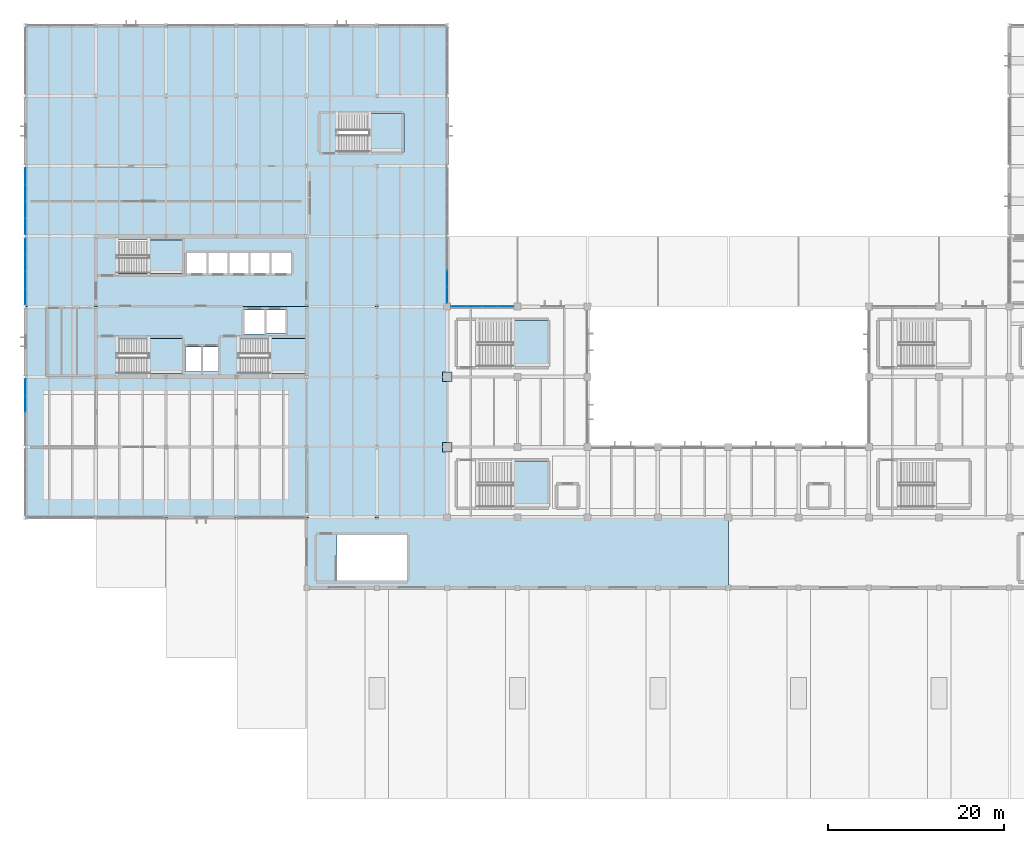
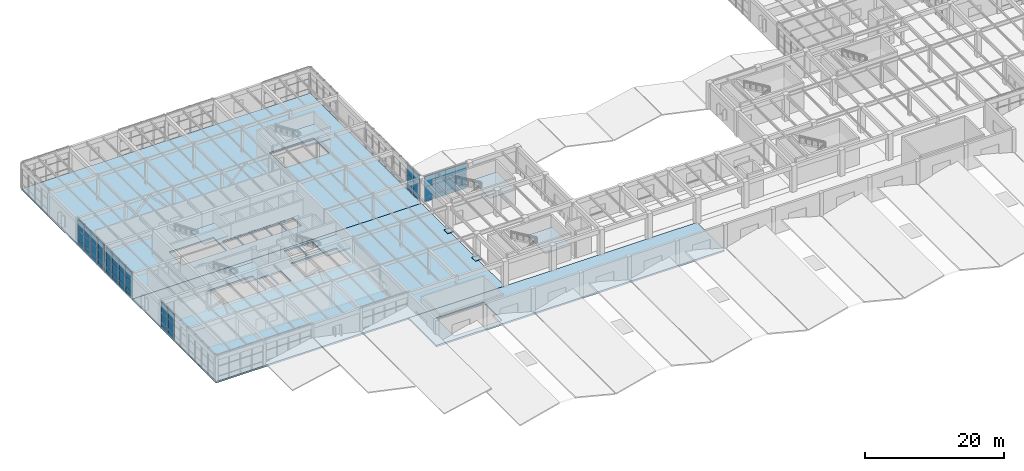
# One storey, part 34 of 60: 50 plates, 9 slabs, 11 elements without a shape of their own.
"""IFC4 building model written with IfcOpenShell, lengths in metres."""

from ifc_helpers import new_model, si_unit, direction, frame, origin, origin_2d, place, context, subcontext, project, spatial, polyline, rectangle, outline, extrude, material, layer, layer_set, type_object, element, aggregate, save


model = new_model("IFC4")

# Units and contexts
model_context = context("Model", 3, precision=1e-05, world=origin(), true_north=direction((0.0, 1.0)))
body_context = subcontext(model_context, "Body", "Model", "MODEL_VIEW")
ifc_project = project(units=[si_unit("LENGTHUNIT", "METRE"), si_unit("AREAUNIT", "SQUARE_METRE"), si_unit("VOLUMEUNIT", "CUBIC_METRE"), si_unit("PLANEANGLEUNIT", "RADIAN"), si_unit("MASSUNIT", "GRAM", prefix="KILO")], contexts=[model_context])

# Site, building, storey
site_placement = place(None, origin())
site = spatial("IfcSite", under=ifc_project, at=site_placement, CompositionType="ELEMENT")
building_placement = place(site_placement, origin())
building = spatial("IfcBuilding", under=site, at=building_placement, Name="Varnela Railside Interchange", CompositionType="ELEMENT")
storey_placement = place(building_placement, frame((0.0, 0.0, 6.300048828125)))
storey = spatial("IfcBuildingStorey", under=building, at=storey_placement, Name="L01", CompositionType="ELEMENT", Elevation=6.300048828125)

# Curtain wall, plates
ifc_material_1 = material(Name="Aluminium 6063-T6", Category="aluminium")
ifc_layer_1 = layer(ifc_material_1, 0.035888671875)
ifc_layer_set_1 = layer_set([ifc_layer_1], Name="Aluminium 6063-T6")
curtain_wall_type_1 = type_object("IfcCurtainWallType", Name="Operations Wing Facade Curtain Wall CW-03", PredefinedType="USERDEFINED", material=ifc_layer_set_1)
curtain_wall_1_placement = place(storey_placement, origin())
curtain_wall_1 = element("IfcCurtainWall", 1, at=curtain_wall_1_placement, inside=storey, type_object=curtain_wall_type_1, Name="Curtain Wall CW-03 (L01) (CW-027)", ObjectType="CURTAIN WALL", PredefinedType="USERDEFINED")
ifc_material_2 = material(Name="Glass laminated double", Category="glass")
ifc_layer_2 = layer(ifc_material_2, 0.0400390625)
ifc_layer_set_2 = layer_set([ifc_layer_2], Name="Glass laminated double")
plate_type_1 = type_object("IfcPlateType", Name="Acoustic Laminated Vision GL-03", PredefinedType="CURTAIN_PANEL", material=ifc_layer_set_2)
plate_1_placement = place(storey_placement, frame((4.0, 50.95166015625, 0.059814453125), z_axis=(0.0, 0.0, 1.0), x_axis=(0.0, 1.0, 0.0)))
plate_1 = element("IfcPlate", 2, at=plate_1_placement, type_object=plate_type_1, Name="CW-03 panel 3.1", PredefinedType="CURTAIN_PANEL", context=body_context, shape_type="SweptSolid", body=[
    extrude(rectangle(XDim=1.84326171875, YDim=0.0400390625, at=origin_2d()), origin(), (0.0, 0.0, 1.0), 0.81005859375),
])
plate_2_placement = place(storey_placement, frame((4.0, 50.95166015625, 0.929931640625), z_axis=(0.0, 0.0, 1.0), x_axis=(0.0, 1.0, 0.0)))
plate_2 = element("IfcPlate", 3, at=plate_2_placement, type_object=plate_type_1, Name="CW-03 panel 3.2", PredefinedType="CURTAIN_PANEL", context=body_context, shape_type="SweptSolid", body=[
    extrude(rectangle(XDim=1.84326171875, YDim=0.0400390625, at=origin_2d()), origin(), (0.0, 0.0, 1.0), 1.7080078125),
])
plate_3_placement = place(storey_placement, frame((4.0, 50.95166015625, 2.69775390625), z_axis=(0.0, 0.0, 1.0), x_axis=(0.0, 1.0, 0.0)))
plate_3 = element("IfcPlate", 4, at=plate_3_placement, type_object=plate_type_1, Name="CW-03 panel 3.3", PredefinedType="CURTAIN_PANEL", context=body_context, shape_type="SweptSolid", body=[
    extrude(rectangle(XDim=1.84326171875, YDim=0.0400390625, at=origin_2d()), origin(), (0.0, 0.0, 1.0), 1.842041015625),
])
plate_4_placement = place(storey_placement, frame((4.0, 52.83984375, 0.059814453125), z_axis=(0.0, 0.0, 1.0), x_axis=(0.0, 1.0, 0.0)))
plate_4 = element("IfcPlate", 5, at=plate_4_placement, type_object=plate_type_1, Name="CW-03 panel 4.1", PredefinedType="CURTAIN_PANEL", context=body_context, shape_type="SweptSolid", body=[
    extrude(rectangle(XDim=1.813232421875, YDim=0.0400390625, at=origin_2d()), origin(), (0.0, 0.0, 1.0), 0.81005859375),
])
plate_5_placement = place(storey_placement, frame((4.0, 52.83984375, 0.929931640625), z_axis=(0.0, 0.0, 1.0), x_axis=(0.0, 1.0, 0.0)))
plate_5 = element("IfcPlate", 6, at=plate_5_placement, type_object=plate_type_1, Name="CW-03 panel 4.2", PredefinedType="CURTAIN_PANEL", context=body_context, shape_type="SweptSolid", body=[
    extrude(rectangle(XDim=1.813232421875, YDim=0.0400390625, at=origin_2d()), origin(), (0.0, 0.0, 1.0), 1.7080078125),
])
plate_6_placement = place(storey_placement, frame((4.0, 52.83984375, 2.69775390625), z_axis=(0.0, 0.0, 1.0), x_axis=(0.0, 1.0, 0.0)))
plate_6 = element("IfcPlate", 7, at=plate_6_placement, type_object=plate_type_1, Name="CW-03 panel 4.3", PredefinedType="CURTAIN_PANEL", context=body_context, shape_type="SweptSolid", body=[
    extrude(rectangle(XDim=1.813232421875, YDim=0.0400390625, at=origin_2d()), origin(), (0.0, 0.0, 1.0), 1.842041015625),
])
aggregate(curtain_wall_1, [plate_1, plate_2, plate_3, plate_4, plate_5, plate_6])

curtain_wall_2_placement = place(storey_placement, origin())
curtain_wall_2 = element("IfcCurtainWall", 8, at=curtain_wall_2_placement, inside=storey, type_object=curtain_wall_type_1, Name="Curtain Wall CW-03 (L01) (CW-034)", ObjectType="CURTAIN WALL", PredefinedType="USERDEFINED")
plate_7_placement = place(storey_placement, frame((4.0, 63.16015625, 0.059814453125), z_axis=(0.0, 0.0, 1.0), x_axis=(0.0, 1.0, 0.0)))
plate_7 = element("IfcPlate", 9, at=plate_7_placement, type_object=plate_type_1, Name="CW-03 panel 1.1", PredefinedType="CURTAIN_PANEL", context=body_context, shape_type="SweptSolid", body=[
    extrude(rectangle(XDim=1.813232421875, YDim=0.0400390625, at=origin_2d()), origin(), (0.0, 0.0, 1.0), 0.81005859375),
])
plate_8_placement = place(storey_placement, frame((4.0, 63.16015625, 0.929931640625), z_axis=(0.0, 0.0, 1.0), x_axis=(0.0, 1.0, 0.0)))
plate_8 = element("IfcPlate", 10, at=plate_8_placement, type_object=plate_type_1, Name="CW-03 panel 1.2", PredefinedType="CURTAIN_PANEL", context=body_context, shape_type="SweptSolid", body=[
    extrude(rectangle(XDim=1.813232421875, YDim=0.0400390625, at=origin_2d()), origin(), (0.0, 0.0, 1.0), 1.7080078125),
])
plate_9_placement = place(storey_placement, frame((4.0, 63.16015625, 2.69775390625), z_axis=(0.0, 0.0, 1.0), x_axis=(0.0, 1.0, 0.0)))
plate_9 = element("IfcPlate", 11, at=plate_9_placement, type_object=plate_type_1, Name="CW-03 panel 1.3", PredefinedType="CURTAIN_PANEL", context=body_context, shape_type="SweptSolid", body=[
    extrude(rectangle(XDim=1.813232421875, YDim=0.0400390625, at=origin_2d()), origin(), (0.0, 0.0, 1.0), 1.842041015625),
])
plate_10_placement = place(storey_placement, frame((4.0, 65.04833984375, 0.059814453125), z_axis=(0.0, 0.0, 1.0), x_axis=(0.0, 1.0, 0.0)))
plate_10 = element("IfcPlate", 12, at=plate_10_placement, type_object=plate_type_1, Name="CW-03 panel 2.1", PredefinedType="CURTAIN_PANEL", context=body_context, shape_type="SweptSolid", body=[
    extrude(rectangle(XDim=1.84326171875, YDim=0.0400390625, at=origin_2d()), origin(), (0.0, 0.0, 1.0), 0.81005859375),
])
plate_11_placement = place(storey_placement, frame((4.0, 65.04833984375, 0.929931640625), z_axis=(0.0, 0.0, 1.0), x_axis=(0.0, 1.0, 0.0)))
plate_11 = element("IfcPlate", 13, at=plate_11_placement, type_object=plate_type_1, Name="CW-03 panel 2.2", PredefinedType="CURTAIN_PANEL", context=body_context, shape_type="SweptSolid", body=[
    extrude(rectangle(XDim=1.84326171875, YDim=0.0400390625, at=origin_2d()), origin(), (0.0, 0.0, 1.0), 1.7080078125),
])
plate_12_placement = place(storey_placement, frame((4.0, 65.04833984375, 2.69775390625), z_axis=(0.0, 0.0, 1.0), x_axis=(0.0, 1.0, 0.0)))
plate_12 = element("IfcPlate", 14, at=plate_12_placement, type_object=plate_type_1, Name="CW-03 panel 2.3", PredefinedType="CURTAIN_PANEL", context=body_context, shape_type="SweptSolid", body=[
    extrude(rectangle(XDim=1.84326171875, YDim=0.0400390625, at=origin_2d()), origin(), (0.0, 0.0, 1.0), 1.842041015625),
])
plate_13_placement = place(storey_placement, frame((4.0, 66.95166015625, 0.059814453125), z_axis=(0.0, 0.0, 1.0), x_axis=(0.0, 1.0, 0.0)))
plate_13 = element("IfcPlate", 15, at=plate_13_placement, type_object=plate_type_1, Name="CW-03 panel 3.1", PredefinedType="CURTAIN_PANEL", context=body_context, shape_type="SweptSolid", body=[
    extrude(rectangle(XDim=1.84326171875, YDim=0.0400390625, at=origin_2d()), origin(), (0.0, 0.0, 1.0), 0.81005859375),
])
plate_14_placement = place(storey_placement, frame((4.0, 66.95166015625, 0.929931640625), z_axis=(0.0, 0.0, 1.0), x_axis=(0.0, 1.0, 0.0)))
plate_14 = element("IfcPlate", 16, at=plate_14_placement, type_object=plate_type_1, Name="CW-03 panel 3.2", PredefinedType="CURTAIN_PANEL", context=body_context, shape_type="SweptSolid", body=[
    extrude(rectangle(XDim=1.84326171875, YDim=0.0400390625, at=origin_2d()), origin(), (0.0, 0.0, 1.0), 1.7080078125),
])
plate_15_placement = place(storey_placement, frame((4.0, 66.95166015625, 2.69775390625), z_axis=(0.0, 0.0, 1.0), x_axis=(0.0, 1.0, 0.0)))
plate_15 = element("IfcPlate", 17, at=plate_15_placement, type_object=plate_type_1, Name="CW-03 panel 3.3", PredefinedType="CURTAIN_PANEL", context=body_context, shape_type="SweptSolid", body=[
    extrude(rectangle(XDim=1.84326171875, YDim=0.0400390625, at=origin_2d()), origin(), (0.0, 0.0, 1.0), 1.842041015625),
])
plate_16_placement = place(storey_placement, frame((4.0, 68.83984375, 0.059814453125), z_axis=(0.0, 0.0, 1.0), x_axis=(0.0, 1.0, 0.0)))
plate_16 = element("IfcPlate", 18, at=plate_16_placement, type_object=plate_type_1, Name="CW-03 panel 4.1", PredefinedType="CURTAIN_PANEL", context=body_context, shape_type="SweptSolid", body=[
    extrude(rectangle(XDim=1.813232421875, YDim=0.0400390625, at=origin_2d()), origin(), (0.0, 0.0, 1.0), 0.81005859375),
])
plate_17_placement = place(storey_placement, frame((4.0, 68.83984375, 0.929931640625), z_axis=(0.0, 0.0, 1.0), x_axis=(0.0, 1.0, 0.0)))
plate_17 = element("IfcPlate", 19, at=plate_17_placement, type_object=plate_type_1, Name="CW-03 panel 4.2", PredefinedType="CURTAIN_PANEL", context=body_context, shape_type="SweptSolid", body=[
    extrude(rectangle(XDim=1.813232421875, YDim=0.0400390625, at=origin_2d()), origin(), (0.0, 0.0, 1.0), 1.7080078125),
])
plate_18_placement = place(storey_placement, frame((4.0, 68.83984375, 2.69775390625), z_axis=(0.0, 0.0, 1.0), x_axis=(0.0, 1.0, 0.0)))
plate_18 = element("IfcPlate", 20, at=plate_18_placement, type_object=plate_type_1, Name="CW-03 panel 4.3", PredefinedType="CURTAIN_PANEL", context=body_context, shape_type="SweptSolid", body=[
    extrude(rectangle(XDim=1.813232421875, YDim=0.0400390625, at=origin_2d()), origin(), (0.0, 0.0, 1.0), 1.842041015625),
])
aggregate(curtain_wall_2, [plate_7, plate_8, plate_9, plate_10, plate_11, plate_12, plate_13, plate_14, plate_15, plate_16, plate_17, plate_18])

curtain_wall_3_placement = place(storey_placement, origin())
curtain_wall_3 = element("IfcCurtainWall", 21, at=curtain_wall_3_placement, inside=storey, type_object=curtain_wall_type_1, Name="Curtain Wall CW-03 (L01) (CW-040)", ObjectType="CURTAIN WALL", PredefinedType="USERDEFINED")
plate_19_placement = place(storey_placement, frame((4.0, 71.16015625, 0.059814453125), z_axis=(0.0, 0.0, 1.0), x_axis=(0.0, 1.0, 0.0)))
plate_19 = element("IfcPlate", 22, at=plate_19_placement, type_object=plate_type_1, Name="CW-03 panel 1.1", PredefinedType="CURTAIN_PANEL", context=body_context, shape_type="SweptSolid", body=[
    extrude(rectangle(XDim=1.813232421875, YDim=0.0400390625, at=origin_2d()), origin(), (0.0, 0.0, 1.0), 0.81005859375),
])
plate_20_placement = place(storey_placement, frame((4.0, 71.16015625, 0.929931640625), z_axis=(0.0, 0.0, 1.0), x_axis=(0.0, 1.0, 0.0)))
plate_20 = element("IfcPlate", 23, at=plate_20_placement, type_object=plate_type_1, Name="CW-03 panel 1.2", PredefinedType="CURTAIN_PANEL", context=body_context, shape_type="SweptSolid", body=[
    extrude(rectangle(XDim=1.813232421875, YDim=0.0400390625, at=origin_2d()), origin(), (0.0, 0.0, 1.0), 1.7080078125),
])
plate_21_placement = place(storey_placement, frame((4.0, 71.16015625, 2.69775390625), z_axis=(0.0, 0.0, 1.0), x_axis=(0.0, 1.0, 0.0)))
plate_21 = element("IfcPlate", 24, at=plate_21_placement, type_object=plate_type_1, Name="CW-03 panel 1.3", PredefinedType="CURTAIN_PANEL", context=body_context, shape_type="SweptSolid", body=[
    extrude(rectangle(XDim=1.813232421875, YDim=0.0400390625, at=origin_2d()), origin(), (0.0, 0.0, 1.0), 1.842041015625),
])
plate_22_placement = place(storey_placement, frame((4.0, 73.04833984375, 0.059814453125), z_axis=(0.0, 0.0, 1.0), x_axis=(0.0, 1.0, 0.0)))
plate_22 = element("IfcPlate", 25, at=plate_22_placement, type_object=plate_type_1, Name="CW-03 panel 2.1", PredefinedType="CURTAIN_PANEL", context=body_context, shape_type="SweptSolid", body=[
    extrude(rectangle(XDim=1.84326171875, YDim=0.0400390625, at=origin_2d()), origin(), (0.0, 0.0, 1.0), 0.81005859375),
])
plate_23_placement = place(storey_placement, frame((4.0, 73.04833984375, 0.929931640625), z_axis=(0.0, 0.0, 1.0), x_axis=(0.0, 1.0, 0.0)))
plate_23 = element("IfcPlate", 26, at=plate_23_placement, type_object=plate_type_1, Name="CW-03 panel 2.2", PredefinedType="CURTAIN_PANEL", context=body_context, shape_type="SweptSolid", body=[
    extrude(rectangle(XDim=1.84326171875, YDim=0.0400390625, at=origin_2d()), origin(), (0.0, 0.0, 1.0), 1.7080078125),
])
plate_24_placement = place(storey_placement, frame((4.0, 73.04833984375, 2.69775390625), z_axis=(0.0, 0.0, 1.0), x_axis=(0.0, 1.0, 0.0)))
plate_24 = element("IfcPlate", 27, at=plate_24_placement, type_object=plate_type_1, Name="CW-03 panel 2.3", PredefinedType="CURTAIN_PANEL", context=body_context, shape_type="SweptSolid", body=[
    extrude(rectangle(XDim=1.84326171875, YDim=0.0400390625, at=origin_2d()), origin(), (0.0, 0.0, 1.0), 1.842041015625),
])
plate_25_placement = place(storey_placement, frame((4.0, 74.95166015625, 0.059814453125), z_axis=(0.0, 0.0, 1.0), x_axis=(0.0, 1.0, 0.0)))
plate_25 = element("IfcPlate", 28, at=plate_25_placement, type_object=plate_type_1, Name="CW-03 panel 3.1", PredefinedType="CURTAIN_PANEL", context=body_context, shape_type="SweptSolid", body=[
    extrude(rectangle(XDim=1.84326171875, YDim=0.0400390625, at=origin_2d()), origin(), (0.0, 0.0, 1.0), 0.81005859375),
])
plate_26_placement = place(storey_placement, frame((4.0, 74.95166015625, 0.929931640625), z_axis=(0.0, 0.0, 1.0), x_axis=(0.0, 1.0, 0.0)))
plate_26 = element("IfcPlate", 29, at=plate_26_placement, type_object=plate_type_1, Name="CW-03 panel 3.2", PredefinedType="CURTAIN_PANEL", context=body_context, shape_type="SweptSolid", body=[
    extrude(rectangle(XDim=1.84326171875, YDim=0.0400390625, at=origin_2d()), origin(), (0.0, 0.0, 1.0), 1.7080078125),
])
plate_27_placement = place(storey_placement, frame((4.0, 74.95166015625, 2.69775390625), z_axis=(0.0, 0.0, 1.0), x_axis=(0.0, 1.0, 0.0)))
plate_27 = element("IfcPlate", 30, at=plate_27_placement, type_object=plate_type_1, Name="CW-03 panel 3.3", PredefinedType="CURTAIN_PANEL", context=body_context, shape_type="SweptSolid", body=[
    extrude(rectangle(XDim=1.84326171875, YDim=0.0400390625, at=origin_2d()), origin(), (0.0, 0.0, 1.0), 1.842041015625),
])
plate_28_placement = place(storey_placement, frame((4.0, 76.83984375, 0.059814453125), z_axis=(0.0, 0.0, 1.0), x_axis=(0.0, 1.0, 0.0)))
plate_28 = element("IfcPlate", 31, at=plate_28_placement, type_object=plate_type_1, Name="CW-03 panel 4.1", PredefinedType="CURTAIN_PANEL", context=body_context, shape_type="SweptSolid", body=[
    extrude(rectangle(XDim=1.813232421875, YDim=0.0400390625, at=origin_2d()), origin(), (0.0, 0.0, 1.0), 0.81005859375),
])
plate_29_placement = place(storey_placement, frame((4.0, 76.83984375, 0.929931640625), z_axis=(0.0, 0.0, 1.0), x_axis=(0.0, 1.0, 0.0)))
plate_29 = element("IfcPlate", 32, at=plate_29_placement, type_object=plate_type_1, Name="CW-03 panel 4.2", PredefinedType="CURTAIN_PANEL", context=body_context, shape_type="SweptSolid", body=[
    extrude(rectangle(XDim=1.813232421875, YDim=0.0400390625, at=origin_2d()), origin(), (0.0, 0.0, 1.0), 1.7080078125),
])
plate_30_placement = place(storey_placement, frame((4.0, 76.83984375, 2.69775390625), z_axis=(0.0, 0.0, 1.0), x_axis=(0.0, 1.0, 0.0)))
plate_30 = element("IfcPlate", 33, at=plate_30_placement, type_object=plate_type_1, Name="CW-03 panel 4.3", PredefinedType="CURTAIN_PANEL", context=body_context, shape_type="SweptSolid", body=[
    extrude(rectangle(XDim=1.813232421875, YDim=0.0400390625, at=origin_2d()), origin(), (0.0, 0.0, 1.0), 1.842041015625),
])
aggregate(curtain_wall_3, [plate_19, plate_20, plate_21, plate_22, plate_23, plate_24, plate_25, plate_26, plate_27, plate_28, plate_29, plate_30])

curtain_wall_4_placement = place(storey_placement, origin())
curtain_wall_4 = element("IfcCurtainWall", 34, at=curtain_wall_4_placement, inside=storey, type_object=curtain_wall_type_1, Name="Curtain Wall CW-03 (L01) (CW-025)", ObjectType="CURTAIN WALL", PredefinedType="USERDEFINED")
plate_31_placement = place(storey_placement, frame((52.0, 65.177490234375, 0.059814453125), z_axis=(0.0, 0.0, 1.0), x_axis=(0.0, -1.0, 0.0)))
plate_31 = element("IfcPlate", 35, at=plate_31_placement, type_object=plate_type_1, Name="CW-03 panel 3.1", PredefinedType="CURTAIN_PANEL", context=body_context, shape_type="SweptSolid", body=[
    extrude(rectangle(XDim=1.79150390625, YDim=0.0400390625, at=origin_2d()), origin(), (0.0, 0.0, 1.0), 0.81005859375),
])
plate_32_placement = place(storey_placement, frame((52.0, 65.177490234375, 0.929931640625), z_axis=(0.0, 0.0, 1.0), x_axis=(0.0, -1.0, 0.0)))
plate_32 = element("IfcPlate", 36, at=plate_32_placement, type_object=plate_type_1, Name="CW-03 panel 3.2", PredefinedType="CURTAIN_PANEL", context=body_context, shape_type="SweptSolid", body=[
    extrude(rectangle(XDim=1.79150390625, YDim=0.0400390625, at=origin_2d()), origin(), (0.0, 0.0, 1.0), 1.7080078125),
])
plate_33_placement = place(storey_placement, frame((52.0, 65.177490234375, 2.69775390625), z_axis=(0.0, 0.0, 1.0), x_axis=(0.0, -1.0, 0.0)))
plate_33 = element("IfcPlate", 37, at=plate_33_placement, type_object=plate_type_1, Name="CW-03 panel 3.3", PredefinedType="CURTAIN_PANEL", context=body_context, shape_type="SweptSolid", body=[
    extrude(rectangle(XDim=1.79150390625, YDim=0.0400390625, at=origin_2d()), origin(), (0.0, 0.0, 1.0), 1.842041015625),
])
plate_34_placement = place(storey_placement, frame((52.0, 63.3408203125, 0.059814453125), z_axis=(0.0, 0.0, 1.0), x_axis=(0.0, -1.0, 0.0)))
plate_34 = element("IfcPlate", 38, at=plate_34_placement, type_object=plate_type_1, Name="CW-03 panel 4.1", PredefinedType="CURTAIN_PANEL", context=body_context, shape_type="SweptSolid", body=[
    extrude(rectangle(XDim=1.76171875, YDim=0.0400390625, at=origin_2d()), origin(), (0.0, 0.0, 1.0), 0.81005859375),
])
plate_35_placement = place(storey_placement, frame((52.0, 63.3408203125, 0.929931640625), z_axis=(0.0, 0.0, 1.0), x_axis=(0.0, -1.0, 0.0)))
plate_35 = element("IfcPlate", 39, at=plate_35_placement, type_object=plate_type_1, Name="CW-03 panel 4.2", PredefinedType="CURTAIN_PANEL", context=body_context, shape_type="SweptSolid", body=[
    extrude(rectangle(XDim=1.76171875, YDim=0.0400390625, at=origin_2d()), origin(), (0.0, 0.0, 1.0), 1.7080078125),
])
plate_36_placement = place(storey_placement, frame((52.0, 63.3408203125, 2.69775390625), z_axis=(0.0, 0.0, 1.0), x_axis=(0.0, -1.0, 0.0)))
plate_36 = element("IfcPlate", 40, at=plate_36_placement, type_object=plate_type_1, Name="CW-03 panel 4.3", PredefinedType="CURTAIN_PANEL", context=body_context, shape_type="SweptSolid", body=[
    extrude(rectangle(XDim=1.76171875, YDim=0.0400390625, at=origin_2d()), origin(), (0.0, 0.0, 1.0), 1.842041015625),
])
aggregate(curtain_wall_4, [plate_31, plate_32, plate_33, plate_34, plate_35, plate_36])

ifc_layer_3 = layer(ifc_material_1, 0.035888671875)
ifc_layer_set_3 = layer_set([ifc_layer_3], Name="Aluminium 6063-T6")
curtain_wall_type_2 = type_object("IfcCurtainWallType", Name="Concourse Triple-Height Curtain Wall CW-01", PredefinedType="USERDEFINED", material=ifc_layer_set_3)
curtain_wall_5_placement = place(storey_placement, origin())
curtain_wall_5 = element("IfcCurtainWall", 41, at=curtain_wall_5_placement, inside=storey, type_object=curtain_wall_type_2, Name="Curtain Wall CW-01 (L01) (CW-026)", ObjectType="CURTAIN WALL", PredefinedType="USERDEFINED")
ifc_layer_4 = layer(ifc_material_2, 0.02001953125)
ifc_layer_set_4 = layer_set([ifc_layer_4], Name="Glass laminated double")
plate_type_2 = type_object("IfcPlateType", Name="Low-E Vision Glazing Panel GL-01", PredefinedType="CURTAIN_PANEL", material=ifc_layer_set_4)
plate_37_placement = place(storey_placement, frame((53.316162109375, 62.0, 0.06494140625), z_axis=(0.0, 0.0, 1.0), x_axis=(1.0, 0.0, 0.0)))
plate_37 = element("IfcPlate", 42, at=plate_37_placement, type_object=plate_type_2, Name="CW-01 panel 1.1", PredefinedType="CURTAIN_PANEL", context=body_context, shape_type="SweptSolid", body=[
    extrude(rectangle(XDim=1.702392578125, YDim=0.02001953125, at=origin_2d()), origin(), (0.0, 0.0, 1.0), 0.802490234375),
])
plate_38_placement = place(storey_placement, frame((53.316162109375, 62.0, 0.9326171875), z_axis=(0.0, 0.0, 1.0), x_axis=(1.0, 0.0, 0.0)))
plate_38 = element("IfcPlate", 43, at=plate_38_placement, type_object=plate_type_2, Name="CW-01 panel 1.2", PredefinedType="CURTAIN_PANEL", context=body_context, shape_type="SweptSolid", body=[
    extrude(rectangle(XDim=1.702392578125, YDim=0.02001953125, at=origin_2d()), origin(), (0.0, 0.0, 1.0), 1.702880859375),
])
plate_39_placement = place(storey_placement, frame((53.316162109375, 62.0, 2.700439453125), z_axis=(0.0, 0.0, 1.0), x_axis=(1.0, 0.0, 0.0)))
plate_39 = element("IfcPlate", 44, at=plate_39_placement, type_object=plate_type_2, Name="CW-01 panel 1.3", PredefinedType="CURTAIN_PANEL", context=body_context, shape_type="SweptSolid", body=[
    extrude(rectangle(XDim=1.702392578125, YDim=0.02001953125, at=origin_2d()), origin(), (0.0, 0.0, 1.0), 1.83447265625),
])
plate_40_placement = place(storey_placement, frame((55.10009765625, 62.0, 0.06494140625), z_axis=(0.0, 0.0, 1.0), x_axis=(1.0, 0.0, 0.0)))
plate_40 = element("IfcPlate", 45, at=plate_40_placement, type_object=plate_type_2, Name="CW-01 panel 2.1", PredefinedType="CURTAIN_PANEL", context=body_context, shape_type="SweptSolid", body=[
    extrude(rectangle(XDim=1.735107421875, YDim=0.02001953125, at=origin_2d()), origin(), (0.0, 0.0, 1.0), 0.802490234375),
])
plate_41_placement = place(storey_placement, frame((55.10009765625, 62.0, 0.9326171875), z_axis=(0.0, 0.0, 1.0), x_axis=(1.0, 0.0, 0.0)))
plate_41 = element("IfcPlate", 46, at=plate_41_placement, type_object=plate_type_2, Name="CW-01 panel 2.2", PredefinedType="CURTAIN_PANEL", context=body_context, shape_type="SweptSolid", body=[
    extrude(rectangle(XDim=1.735107421875, YDim=0.02001953125, at=origin_2d()), origin(), (0.0, 0.0, 1.0), 1.702880859375),
])
plate_42_placement = place(storey_placement, frame((55.10009765625, 62.0, 2.700439453125), z_axis=(0.0, 0.0, 1.0), x_axis=(1.0, 0.0, 0.0)))
plate_42 = element("IfcPlate", 47, at=plate_42_placement, type_object=plate_type_2, Name="CW-01 panel 2.3", PredefinedType="CURTAIN_PANEL", context=body_context, shape_type="SweptSolid", body=[
    extrude(rectangle(XDim=1.735107421875, YDim=0.02001953125, at=origin_2d()), origin(), (0.0, 0.0, 1.0), 1.83447265625),
])
plate_43_placement = place(storey_placement, frame((56.89990234375, 62.0, 0.06494140625), z_axis=(0.0, 0.0, 1.0), x_axis=(1.0, 0.0, 0.0)))
plate_43 = element("IfcPlate", 48, at=plate_43_placement, type_object=plate_type_2, Name="CW-01 panel 3.1", PredefinedType="CURTAIN_PANEL", context=body_context, shape_type="SweptSolid", body=[
    extrude(rectangle(XDim=1.735107421875, YDim=0.02001953125, at=origin_2d()), origin(), (0.0, 0.0, 1.0), 0.802490234375),
])
plate_44_placement = place(storey_placement, frame((56.89990234375, 62.0, 0.9326171875), z_axis=(0.0, 0.0, 1.0), x_axis=(1.0, 0.0, 0.0)))
plate_44 = element("IfcPlate", 49, at=plate_44_placement, type_object=plate_type_2, Name="CW-01 panel 3.2", PredefinedType="CURTAIN_PANEL", context=body_context, shape_type="SweptSolid", body=[
    extrude(rectangle(XDim=1.735107421875, YDim=0.02001953125, at=origin_2d()), origin(), (0.0, 0.0, 1.0), 1.702880859375),
])
plate_45_placement = place(storey_placement, frame((56.89990234375, 62.0, 2.700439453125), z_axis=(0.0, 0.0, 1.0), x_axis=(1.0, 0.0, 0.0)))
plate_45 = element("IfcPlate", 50, at=plate_45_placement, type_object=plate_type_2, Name="CW-01 panel 3.3", PredefinedType="CURTAIN_PANEL", context=body_context, shape_type="SweptSolid", body=[
    extrude(rectangle(XDim=1.735107421875, YDim=0.02001953125, at=origin_2d()), origin(), (0.0, 0.0, 1.0), 1.83447265625),
])
plate_46_placement = place(storey_placement, frame((58.683837890625, 62.0, 0.06494140625), z_axis=(0.0, 0.0, 1.0), x_axis=(1.0, 0.0, 0.0)))
plate_46 = element("IfcPlate", 51, at=plate_46_placement, type_object=plate_type_2, Name="CW-01 panel 4.1", PredefinedType="CURTAIN_PANEL", context=body_context, shape_type="SweptSolid", body=[
    extrude(rectangle(XDim=1.702392578125, YDim=0.02001953125, at=origin_2d()), origin(), (0.0, 0.0, 1.0), 0.802490234375),
])
plate_47_placement = place(storey_placement, frame((58.683837890625, 62.0, 0.9326171875), z_axis=(0.0, 0.0, 1.0), x_axis=(1.0, 0.0, 0.0)))
plate_47 = element("IfcPlate", 52, at=plate_47_placement, type_object=plate_type_2, Name="CW-01 panel 4.2", PredefinedType="CURTAIN_PANEL", context=body_context, shape_type="SweptSolid", body=[
    extrude(rectangle(XDim=1.702392578125, YDim=0.02001953125, at=origin_2d()), origin(), (0.0, 0.0, 1.0), 1.702880859375),
])
plate_48_placement = place(storey_placement, frame((58.683837890625, 62.0, 2.700439453125), z_axis=(0.0, 0.0, 1.0), x_axis=(1.0, 0.0, 0.0)))
plate_48 = element("IfcPlate", 53, at=plate_48_placement, type_object=plate_type_2, Name="CW-01 panel 4.3", PredefinedType="CURTAIN_PANEL", context=body_context, shape_type="SweptSolid", body=[
    extrude(rectangle(XDim=1.702392578125, YDim=0.02001953125, at=origin_2d()), origin(), (0.0, 0.0, 1.0), 1.83447265625),
])
aggregate(curtain_wall_5, [plate_37, plate_38, plate_39, plate_40, plate_41, plate_42, plate_43, plate_44, plate_45, plate_46, plate_47, plate_48])

# Slabs
ifc_material_3 = material(Name="Concrete C40", Category="concrete")
ifc_layer_5 = layer(ifc_material_3, 0.280029296875)
ifc_layer_set_5 = layer_set([ifc_layer_5], Name="Concrete C40")
slab_type_1 = type_object("IfcSlabType", Name="Over-Station Gallery Slab SL-L01", PredefinedType="FLOOR", material=ifc_layer_set_5)
slab_1_placement = place(storey_placement, frame((0.0, 0.0, -0.280029296875)))
element("IfcSlab", 54, at=slab_1_placement, inside=storey, type_object=slab_type_1, Name="Over-Station Gallery Slab SL-L01 (L01) (SL-0077)", PredefinedType="FLOOR", context=body_context, shape_type="SweptSolid", body=[
    extrude(outline(polyline([(36.0, 30.0), (84.0, 30.0), (84.0, 38.0), (36.0, 38.0), (36.0, 30.0)]), holes=[polyline([(39.429931640625, 30.800048828125), (47.39990234375, 30.800048828125), (47.39990234375, 36.0), (39.429931640625, 36.0), (39.429931640625, 30.800048828125)])]), origin(), (0.0, 0.0, 1.0), 0.280029296875),
])
slab_2_placement = place(storey_placement, frame((0.0, 0.0, -0.280029296875)))
element("IfcSlab", 55, at=slab_2_placement, inside=storey, type_object=slab_type_1, Name="Over-Station Gallery Slab SL-L01 (L01) (SL-0090)", PredefinedType="FLOOR", context=body_context, shape_type="SweptSolid", body=[
    extrude(outline(polyline([(4.0, 38.0), (52.0, 38.0), (52.0, 62.0), (4.0, 62.0), (4.0, 38.0)]), holes=[polyline([(14.429931640625, 54.39990234375), (21.800048828125, 54.39990234375), (21.800048828125, 58.39990234375), (14.429931640625, 58.39990234375), (14.429931640625, 54.39990234375)]), polyline([(28.22998046875, 54.39990234375), (35.800048828125, 54.39990234375), (35.800048828125, 58.39990234375), (28.22998046875, 58.39990234375), (28.22998046875, 54.39990234375)]), polyline([(22.199951171875, 54.60009765625), (24.0, 54.60009765625), (24.0, 57.39990234375), (22.199951171875, 57.39990234375), (22.199951171875, 54.60009765625)]), polyline([(24.199951171875, 54.60009765625), (26.0, 54.60009765625), (26.0, 57.39990234375), (24.199951171875, 57.39990234375), (24.199951171875, 54.60009765625)]), polyline([(31.39990234375, 59.0), (33.60009765625, 59.0), (33.60009765625, 61.60009765625), (31.39990234375, 61.60009765625), (31.39990234375, 59.0)]), polyline([(28.89990234375, 58.89990234375), (31.199951171875, 58.89990234375), (31.199951171875, 61.60009765625), (28.89990234375, 61.60009765625), (28.89990234375, 58.89990234375)])]), origin(), (0.0, 0.0, 1.0), 0.280029296875),
])
slab_3_placement = place(storey_placement, frame((0.0, 0.0, -0.280029296875)))
element("IfcSlab", 56, at=slab_3_placement, inside=storey, type_object=slab_type_1, Name="Over-Station Gallery Slab SL-L01 (L01) (SL-0091)", PredefinedType="FLOOR", context=body_context, shape_type="SweptSolid", body=[
    extrude(outline(polyline([(4.0, 62.0), (52.0, 62.0), (52.0, 94.0), (4.0, 94.0), (4.0, 62.0)]), holes=[polyline([(14.429931640625, 65.800048828125), (21.800048828125, 65.800048828125), (21.800048828125, 69.60009765625), (14.429931640625, 69.60009765625), (14.429931640625, 65.800048828125)]), polyline([(39.429931640625, 79.60009765625), (46.800048828125, 79.60009765625), (46.800048828125, 84.0), (39.429931640625, 84.0), (39.429931640625, 79.60009765625)]), polyline([(22.39990234375, 65.800048828125), (24.60009765625, 65.800048828125), (24.60009765625, 68.10009765625), (22.39990234375, 68.10009765625), (22.39990234375, 65.800048828125)]), polyline([(24.800048828125, 65.800048828125), (27.0, 65.800048828125), (27.0, 68.10009765625), (24.800048828125, 68.10009765625), (24.800048828125, 65.800048828125)]), polyline([(27.199951171875, 65.800048828125), (29.39990234375, 65.800048828125), (29.39990234375, 68.10009765625), (27.199951171875, 68.10009765625), (27.199951171875, 65.800048828125)]), polyline([(29.60009765625, 65.800048828125), (31.800048828125, 65.800048828125), (31.800048828125, 68.10009765625), (29.60009765625, 68.10009765625), (29.60009765625, 65.800048828125)]), polyline([(32.0, 65.800048828125), (34.199951171875, 65.800048828125), (34.199951171875, 68.10009765625), (32.0, 68.10009765625), (32.0, 65.800048828125)])]), origin(), (0.0, 0.0, 1.0), 0.280029296875),
])

# Stair, slab
stair_type_1 = type_object("IfcStairType", Name="Core Pressurized Stair ST-165", PredefinedType="TWO_STRAIGHT_RUN_STAIR", material=ifc_material_3)
stair_1_placement = place(storey_placement, origin())
stair_1 = element("IfcStair", 57, at=stair_1_placement, inside=storey, type_object=stair_type_1, Name="Stair ST-T1 (L01) (SF-145)", PredefinedType="TWO_STRAIGHT_RUN_STAIR")
ifc_layer_6 = layer(ifc_material_3, 0.159912109375)
ifc_layer_set_6 = layer_set([ifc_layer_6], Name="Concrete C40")
slab_type_2 = type_object("IfcSlabType", Name="Stair Half-Landing Slab SL-LD", PredefinedType="LANDING", material=ifc_layer_set_6)
slab_4_placement = place(storey_placement, frame((0.0, 0.0, 2.2900390625)))
slab_4 = element("IfcSlab", 58, at=slab_4_placement, type_object=slab_type_2, Name="ST-T1 landing 1 (SL-0125)", PredefinedType="LANDING", context=body_context, shape_type="SweptSolid", body=[
    extrude(outline(polyline([(18.010009765625, 54.39990234375), (22.06005859375, 54.39990234375), (22.06005859375, 58.39990234375), (18.010009765625, 58.39990234375), (18.010009765625, 54.39990234375)])), origin(), (0.0, 0.0, 1.0), 0.159912109375),
])
aggregate(stair_1, [slab_4])

stair_2_placement = place(storey_placement, origin())
stair_2 = element("IfcStair", 59, at=stair_2_placement, inside=storey, type_object=stair_type_1, Name="Stair ST-T2 (L01) (SF-148)", PredefinedType="TWO_STRAIGHT_RUN_STAIR")
slab_5_placement = place(storey_placement, frame((0.0, 0.0, 2.2900390625)))
slab_5 = element("IfcSlab", 60, at=slab_5_placement, type_object=slab_type_2, Name="ST-T2 landing 1 (SL-0126)", PredefinedType="LANDING", context=body_context, shape_type="SweptSolid", body=[
    extrude(outline(polyline([(31.81005859375, 54.39990234375), (35.860107421875, 54.39990234375), (35.860107421875, 58.39990234375), (31.81005859375, 58.39990234375), (31.81005859375, 54.39990234375)])), origin(), (0.0, 0.0, 1.0), 0.159912109375),
])
aggregate(stair_2, [slab_5])

stair_3_placement = place(storey_placement, origin())
stair_3 = element("IfcStair", 61, at=stair_3_placement, inside=storey, type_object=stair_type_1, Name="Stair ST-T3 (L01) (SF-151)", PredefinedType="TWO_STRAIGHT_RUN_STAIR")
slab_6_placement = place(storey_placement, frame((0.0, 0.0, 2.2900390625)))
slab_6 = element("IfcSlab", 62, at=slab_6_placement, type_object=slab_type_2, Name="ST-T3 landing 1 (SL-0127)", PredefinedType="LANDING", context=body_context, shape_type="SweptSolid", body=[
    extrude(outline(polyline([(18.010009765625, 65.800048828125), (22.06005859375, 65.800048828125), (22.06005859375, 69.60009765625), (18.010009765625, 69.60009765625), (18.010009765625, 65.800048828125)])), origin(), (0.0, 0.0, 1.0), 0.159912109375),
])
aggregate(stair_3, [slab_6])

stair_type_2 = type_object("IfcStairType", Name="Concourse Public Stair ST-235", PredefinedType="TWO_STRAIGHT_RUN_STAIR", material=ifc_material_3)
stair_4_placement = place(storey_placement, origin())
stair_4 = element("IfcStair", 63, at=stair_4_placement, inside=storey, type_object=stair_type_2, Name="Stair ST-C1 (L01) (SF-124)", PredefinedType="TWO_STRAIGHT_RUN_STAIR")
slab_7_placement = place(storey_placement, frame((0.0, 0.0, 2.2900390625)))
slab_7 = element("IfcSlab", 64, at=slab_7_placement, type_object=slab_type_2, Name="ST-C1 landing 1 (SL-0118)", PredefinedType="LANDING", context=body_context, shape_type="SweptSolid", body=[
    extrude(outline(polyline([(59.465087890625, 39.199951171875), (63.659912109375, 39.199951171875), (63.659912109375, 44.39990234375), (59.465087890625, 44.39990234375), (59.465087890625, 39.199951171875)])), origin(), (0.0, 0.0, 1.0), 0.159912109375),
])
aggregate(stair_4, [slab_7])

stair_5_placement = place(storey_placement, origin())
stair_5 = element("IfcStair", 65, at=stair_5_placement, inside=storey, type_object=stair_type_2, Name="Stair ST-C3 (L01) (SF-130)", PredefinedType="TWO_STRAIGHT_RUN_STAIR")
slab_8_placement = place(storey_placement, frame((0.0, 0.0, 2.2900390625)))
slab_8 = element("IfcSlab", 66, at=slab_8_placement, type_object=slab_type_2, Name="ST-C3 landing 1 (SL-0120)", PredefinedType="LANDING", context=body_context, shape_type="SweptSolid", body=[
    extrude(outline(polyline([(59.465087890625, 55.199951171875), (63.659912109375, 55.199951171875), (63.659912109375, 60.39990234375), (59.465087890625, 60.39990234375), (59.465087890625, 55.199951171875)])), origin(), (0.0, 0.0, 1.0), 0.159912109375),
])
aggregate(stair_5, [slab_8])

stair_type_3 = type_object("IfcStairType", Name="Study Pavilion Stair ST-180", PredefinedType="TWO_STRAIGHT_RUN_STAIR", material=ifc_material_3)
stair_6_placement = place(storey_placement, origin())
stair_6 = element("IfcStair", 67, at=stair_6_placement, inside=storey, type_object=stair_type_3, Name="Stair ST-W1 (L01) (SF-154)", PredefinedType="TWO_STRAIGHT_RUN_STAIR")
slab_9_placement = place(storey_placement, frame((0.0, 0.0, 2.2900390625)))
slab_9 = element("IfcSlab", 68, at=slab_9_placement, type_object=slab_type_2, Name="ST-W1 landing 1 (SL-0128)", PredefinedType="LANDING", context=body_context, shape_type="SweptSolid", body=[
    extrude(outline(polyline([(43.139892578125, 79.60009765625), (47.06005859375, 79.60009765625), (47.06005859375, 84.0), (43.139892578125, 84.0), (43.139892578125, 79.60009765625)])), origin(), (0.0, 0.0, 1.0), 0.159912109375),
])
aggregate(stair_6, [slab_9])

# Plates
ifc_material_4 = material(Name="Steel AR 350 (350 MPa)", Category="steel")
ifc_layer_7 = layer(ifc_material_4, 0.06005859375)
ifc_layer_set_7 = layer_set([ifc_layer_7], Name="Steel AR 350 (350 MPa)")
plate_type_3 = type_object("IfcPlateType", Name="Transfer Girder Shoe Plate BP-02", PredefinedType="SHEET", material=ifc_layer_set_7)
for number, where, z_axis, x_axis, name in (
    (69, (52.0, 46.0, 0.0), (0.0, 0.0, 1.0), (1.0, 0.0, 0.0), "Transfer Girder Shoe Plate BP-02 (L01) (PL-018)"),
    (70, (52.0, 54.0, 0.0), (0.0, 0.0, 1.0), (1.0, 0.0, 0.0), "Transfer Girder Shoe Plate BP-02 (L01) (PL-019)"),
):
    element("IfcPlate", number, at=place(storey_placement, frame(where, z_axis=z_axis, x_axis=x_axis)), inside=storey, type_object=plate_type_3, Name=name, PredefinedType="SHEET", context=body_context, shape_type="SweptSolid", body=[
        extrude(rectangle(XDim=1.10009765625, YDim=1.10009765625, at=origin_2d()), origin(), (0.0, 0.0, 1.0), 0.06005859375),
    ])

save(model, "model.ifc")
